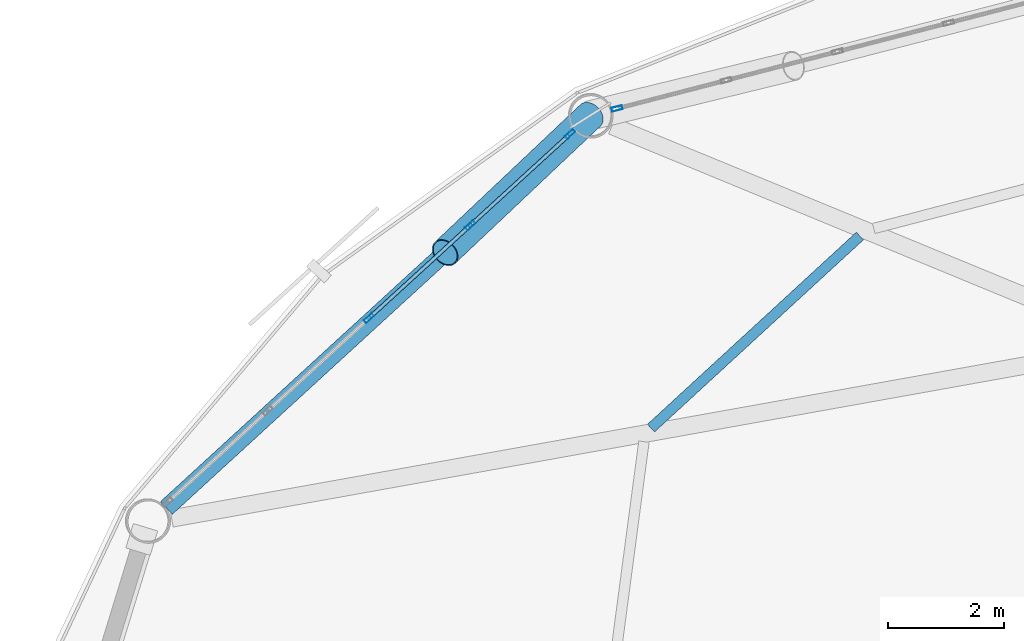
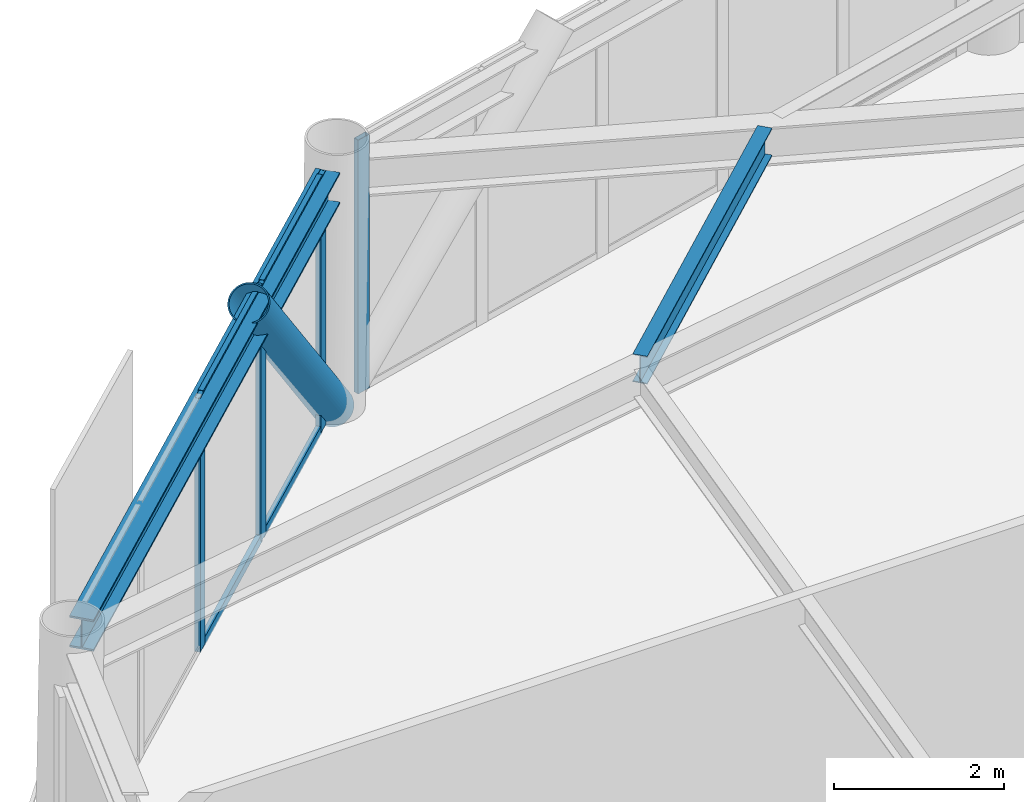
# One storey, part 17 of 27: 9 members, 2 beams, 2 elements without a shape of their own.
"""IFC4 building model written with IfcOpenShell, lengths in metres."""

from ifc_helpers import new_model, si_unit, direction, frame, origin, origin_2d, place, context, subcontext, project, spatial, hollow_rectangle, hollow_circle, i_section, extrude, material, layer, layer_set, material_profile, profile_set, type_object, element, aggregate, save


model = new_model("IFC4")

# Units and contexts
model_context = context("Model", 3, precision=1e-05, world=origin(), true_north=direction((0.0, 1.0)))
body_context = subcontext(model_context, "Body", "Model", "MODEL_VIEW")
ifc_project = project(units=[si_unit("LENGTHUNIT", "METRE"), si_unit("AREAUNIT", "SQUARE_METRE"), si_unit("VOLUMEUNIT", "CUBIC_METRE"), si_unit("PLANEANGLEUNIT", "RADIAN"), si_unit("MASSUNIT", "GRAM", prefix="KILO")], contexts=[model_context])

# Site, building, storey
site_placement = place(None, origin())
site = spatial("IfcSite", under=ifc_project, at=site_placement, CompositionType="ELEMENT")
building_placement = place(site_placement, origin())
building = spatial("IfcBuilding", under=site, at=building_placement, Name="Varnakorn Sky Granary", CompositionType="ELEMENT")
storey_placement = place(building_placement, frame((0.0, 0.0, 134.39990234375)))
storey = spatial("IfcBuildingStorey", under=building, at=storey_placement, Name="L33", CompositionType="ELEMENT", Elevation=134.39990234375)

# Beams
ifc_material_1 = material(Name="Steel S355JR", Category="steel")
ifc_material_profile_1 = material_profile(ifc_material_1, i_section(OverallWidth=0.179931640625, OverallDepth=0.39990234375, WebThickness=0.008544921875, FlangeThickness=0.013427734375, at=origin_2d()), Name="IPE 400")
ifc_profile_set_1 = profile_set([ifc_material_profile_1], Name="Steel S355JR")
beam_type_1 = type_object("IfcBeamType", Name="BM-SEC-Z3", PredefinedType="BEAM", material=ifc_profile_set_1)
beam_1_placement = place(storey_placement, frame((-7.300048828125, 14.494384765625, 3.440185546875), z_axis=(-0.736099620694, -0.676873214431, 0.0), x_axis=(0.676873214431, -0.736099620694, 0.0)))
element("IfcBeam", 1, at=beam_1_placement, inside=storey, type_object=beam_type_1, Name="Secondary Floor Chord Beam MSB05 L33", PredefinedType="BEAM", context=body_context, shape_type="SweptSolid", body=[
    extrude(i_section(OverallWidth=0.179931640625, OverallDepth=0.39990234375, WebThickness=0.008544921875, FlangeThickness=0.013427734375, at=origin_2d()), origin(), (0.0, 0.0, 1.0), 4.9052734375),
])
ifc_material_profile_2 = material_profile(ifc_material_1, i_section(OverallWidth=0.300048828125, OverallDepth=0.449951171875, WebThickness=0.013916015625, FlangeThickness=0.02587890625, at=origin_2d()), Name="HE 450 B")
ifc_profile_set_2 = profile_set([ifc_material_profile_2], Name="Steel S355JR")
beam_type_2 = type_object("IfcBeamType", Name="BM-SPD-Z3", PredefinedType="SPANDREL", material=ifc_profile_set_2)
beam_2_placement = place(storey_placement, frame((-12.19384765625, 16.290283203125, 3.4150390625), z_axis=(-0.737414391393, -0.675440608319, 0.0), x_axis=(0.675440608319, -0.737414391393, 0.0)))
element("IfcBeam", 2, at=beam_2_placement, inside=storey, type_object=beam_type_2, Name="Perimeter Spandrel Ring Beam RB05 L33", PredefinedType="SPANDREL", context=body_context, shape_type="SweptSolid", body=[
    extrude(i_section(OverallWidth=0.300048828125, OverallDepth=0.449951171875, WebThickness=0.013916015625, FlangeThickness=0.02587890625, at=origin_2d()), origin(), (0.0, 0.0, 1.0), 9.6162109375),
])

# Curtain wall, member
ifc_material_2 = material(Name="Anodised Bronze Aluminium Alloy 6063-T6", Category="aluminium")
ifc_layer = layer(ifc_material_2, 0.179931640625, Name="Anodised Bronze Aluminium Alloy 6063-T6")
ifc_layer_set = layer_set([ifc_layer], Name="Anodised Bronze Aluminium Alloy 6063-T6")
curtain_wall_type = type_object("IfcCurtainWallType", Name="CW-FRM-2", PredefinedType="USERDEFINED", material=ifc_layer_set)
curtain_wall_1_placement = place(storey_placement, origin())
curtain_wall_1 = element("IfcCurtainWall", 3, at=curtain_wall_1_placement, inside=storey, type_object=curtain_wall_type, Name="Unitised Curtain Wall CW4 CW-L33-B04", ObjectType="CURTAIN WALL", PredefinedType="USERDEFINED")
ifc_material_profile_3 = material_profile(ifc_material_2, hollow_rectangle(XDim=0.070068359375, YDim=0.18505859375, WallThickness=0.00390625, at=origin_2d()), Name="ALU MULL 70x185")
ifc_profile_set_3 = profile_set([ifc_material_profile_3], Name="Anodised Bronze Aluminium Alloy 6063-T6")
member_type_1 = type_object("IfcMemberType", Name="CW-FRM-2-MULL", PredefinedType="MULLION", material=ifc_profile_set_3)
member_1_placement = place(storey_placement, frame((-11.49658203125, 16.6982421875, 0.0), z_axis=(0.0, 0.0, 1.0), x_axis=(-0.249979863344, 0.968251035591, 0.0)))
member_1 = element("IfcMember", 4, at=member_1_placement, type_object=member_type_1, Name="CW4 mullion 1", PredefinedType="MULLION", context=body_context, shape_type="SweptSolid", body=[
    extrude(hollow_rectangle(XDim=0.070068359375, YDim=0.18505859375, WallThickness=0.00390625, at=origin_2d()), origin(), (0.0, 0.0, 1.0), 3.64013671875),
])
aggregate(curtain_wall_1, [member_1])

# Curtain wall, members
curtain_wall_2_placement = place(storey_placement, origin())
curtain_wall_2 = element("IfcCurtainWall", 5, at=curtain_wall_2_placement, inside=storey, type_object=curtain_wall_type, Name="Unitised Curtain Wall CW4 CW-L33-B05", ObjectType="CURTAIN WALL", PredefinedType="USERDEFINED")
member_2_placement = place(storey_placement, frame((-15.78515625, 13.07568359375, 0.0), z_axis=(0.0, 0.0, 1.0), x_axis=(-0.675182733871, 0.737650510664, 0.0)))
member_2 = element("IfcMember", 6, at=member_2_placement, type_object=member_type_1, Name="CW4 mullion 3", PredefinedType="MULLION", context=body_context, shape_type="SweptSolid", body=[
    extrude(hollow_rectangle(XDim=0.070068359375, YDim=0.18505859375, WallThickness=0.00390625, at=origin_2d()), origin(), (0.0, 0.0, 1.0), 3.64013671875),
])
member_3_placement = place(storey_placement, frame((-14.033935546875, 14.678466796875, 0.0), z_axis=(0.0, 0.0, 1.0), x_axis=(-0.675182733871, 0.737650510664, 0.0)))
member_3 = element("IfcMember", 7, at=member_3_placement, type_object=member_type_1, Name="CW4 mullion 4", PredefinedType="MULLION", context=body_context, shape_type="SweptSolid", body=[
    extrude(hollow_rectangle(XDim=0.070068359375, YDim=0.18505859375, WallThickness=0.00390625, at=origin_2d()), origin(), (0.0, 0.0, 1.0), 3.64013671875),
])
member_4_placement = place(storey_placement, frame((-12.30859375, 16.2578125, 0.0), z_axis=(0.0, 0.0, 1.0), x_axis=(-0.675182733871, 0.737650510664, 0.0)))
member_4 = element("IfcMember", 8, at=member_4_placement, type_object=member_type_1, Name="CW4 mullion 5", PredefinedType="MULLION", context=body_context, shape_type="SweptSolid", body=[
    extrude(hollow_rectangle(XDim=0.070068359375, YDim=0.18505859375, WallThickness=0.00390625, at=origin_2d()), origin(), (0.0, 0.0, 1.0), 3.64013671875),
])
ifc_material_profile_4 = material_profile(ifc_material_2, hollow_rectangle(XDim=0.06494140625, YDim=0.1201171875, WallThickness=0.00341796875, at=origin_2d()), Name="ALU TRAN 65x120")
ifc_profile_set_4 = profile_set([ifc_material_profile_4], Name="Anodised Bronze Aluminium Alloy 6063-T6")
member_type_2 = type_object("IfcMemberType", Name="CW-FRM-2-TRAN", PredefinedType="USERDEFINED", material=ifc_profile_set_4)
member_5_placement = place(storey_placement, frame((-15.75927734375, 13.09912109375, 0.03271484375), z_axis=(0.737624607375, 0.675211032638, 0.0), x_axis=(-0.675211032638, 0.737624607375, 0.0)))
member_5 = element("IfcMember", 9, at=member_5_placement, type_object=member_type_2, Name="CW4 transom 3.1", ObjectType="TRANSOM", PredefinedType="USERDEFINED", context=body_context, shape_type="SweptSolid", body=[
    extrude(hollow_rectangle(XDim=0.06494140625, YDim=0.1201171875, WallThickness=0.00341796875, at=origin_2d()), origin(), (0.0, 0.0, 1.0), 2.303955078125),
])
member_6_placement = place(storey_placement, frame((-15.75927734375, 13.09912109375, 3.607666015625), z_axis=(0.737624607375, 0.675211032638, 0.0), x_axis=(-0.675211032638, 0.737624607375, 0.0)))
member_6 = element("IfcMember", 10, at=member_6_placement, type_object=member_type_2, Name="CW4 transom 3.2", ObjectType="TRANSOM", PredefinedType="USERDEFINED", context=body_context, shape_type="SweptSolid", body=[
    extrude(hollow_rectangle(XDim=0.06494140625, YDim=0.1201171875, WallThickness=0.00341796875, at=origin_2d()), origin(), (0.0, 0.0, 1.0), 2.303955078125),
])
member_7_placement = place(storey_placement, frame((-14.00830078125, 14.7021484375, 0.03271484375), z_axis=(0.737672004094, 0.675159251122, 0.0), x_axis=(-0.675159251122, 0.737672004094, 0.0)))
member_7 = element("IfcMember", 11, at=member_7_placement, type_object=member_type_2, Name="CW4 transom 4.1", ObjectType="TRANSOM", PredefinedType="USERDEFINED", context=body_context, shape_type="SweptSolid", body=[
    extrude(hollow_rectangle(XDim=0.06494140625, YDim=0.1201171875, WallThickness=0.00341796875, at=origin_2d()), origin(), (0.0, 0.0, 1.0), 2.26904296875),
])
member_8_placement = place(storey_placement, frame((-14.00830078125, 14.7021484375, 3.607666015625), z_axis=(0.737672004094, 0.675159251122, 0.0), x_axis=(-0.675159251122, 0.737672004094, 0.0)))
member_8 = element("IfcMember", 12, at=member_8_placement, type_object=member_type_2, Name="CW4 transom 4.2", ObjectType="TRANSOM", PredefinedType="USERDEFINED", context=body_context, shape_type="SweptSolid", body=[
    extrude(hollow_rectangle(XDim=0.06494140625, YDim=0.1201171875, WallThickness=0.00341796875, at=origin_2d()), origin(), (0.0, 0.0, 1.0), 2.26904296875),
])
aggregate(curtain_wall_2, [member_2, member_3, member_4, member_5, member_6, member_7, member_8])

# Member
ifc_material_3 = material(Name="Steel S460M", Category="steel")
ifc_material_profile_5 = material_profile(ifc_material_3, hollow_circle(Radius=0.25390625, WallThickness=0.01806640625, at=origin_2d()), Name="CHS 508x18")
ifc_profile_set_5 = profile_set([ifc_material_profile_5], Name="Steel S460M")
member_type_3 = type_object("IfcMemberType", Name="MB-DIAG-T2", PredefinedType="BRACE", material=ifc_profile_set_5)
member_9_placement = place(storey_placement, frame((-11.95751953125, 16.5791015625, 0.0), z_axis=(-0.489551499458, -0.462504981445, 0.739208002877), x_axis=(0.686741862629, -0.726901378533, 0.0)))
element("IfcMember", 13, at=member_9_placement, inside=storey, type_object=member_type_3, Name="Perimeter CHS Diagrid Brace DG05 L33", PredefinedType="BRACE", context=body_context, shape_type="SweptSolid", body=[
    extrude(hollow_circle(Radius=0.25390625, WallThickness=0.01806640625, at=origin_2d()), origin(), (0.0, 0.0, 1.0), 5.127197265625),
])

save(model, "model.ifc")
